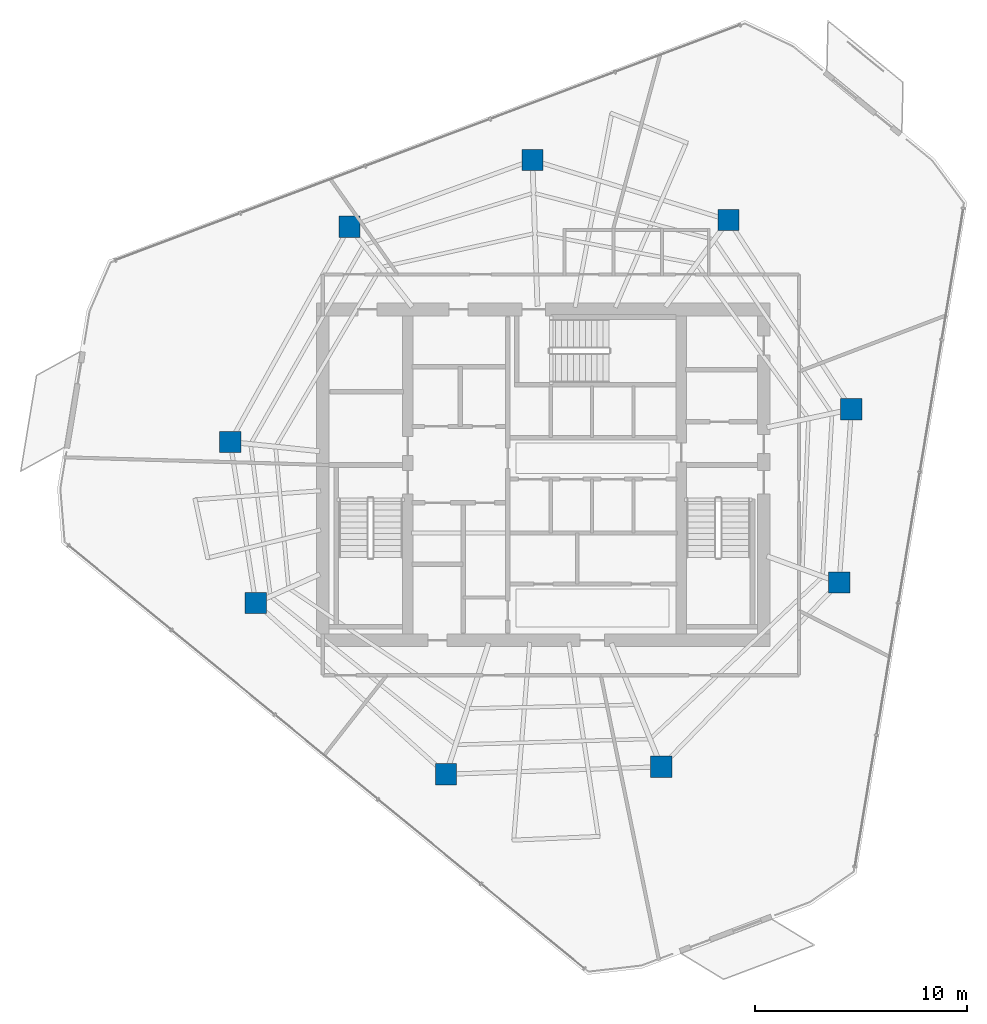
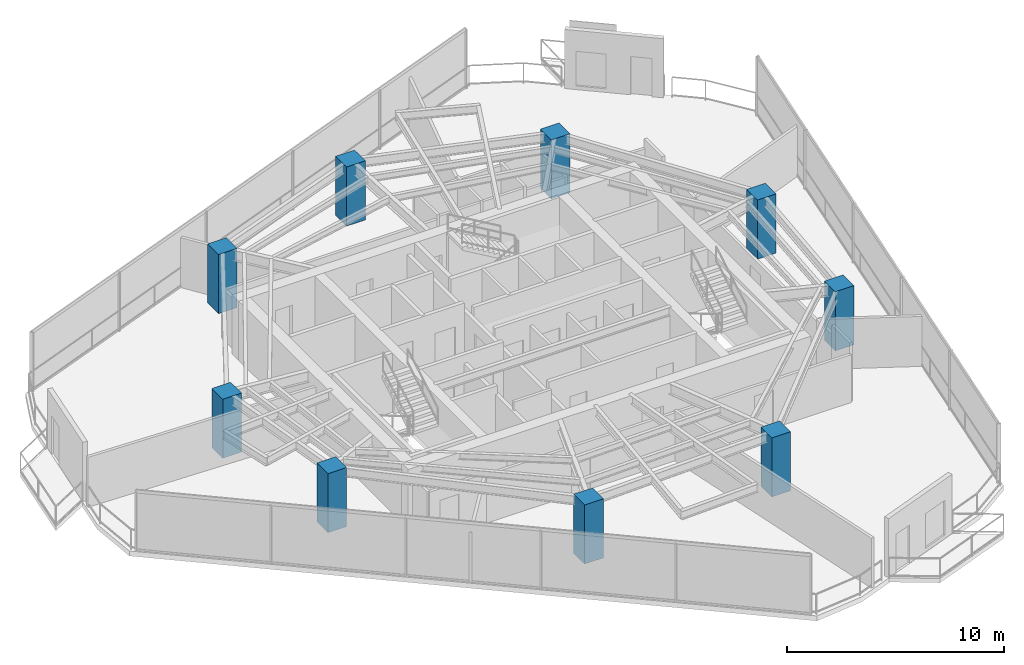
# One storey, part 1 of 19: 9 columns.
"""IFC4 building model written with IfcOpenShell, lengths in metres."""

from ifc_helpers import new_model, si_unit, direction, frame, origin, origin_2d, place, context, subcontext, project, spatial, rectangle, extrude, material, material_profile, profile_set, type_object, element, save


model = new_model("IFC4")

# Units and contexts
model_context = context("Model", 3, precision=1e-05, world=origin(), true_north=direction((0.0, 1.0)))
body_context = subcontext(model_context, "Body", "Model", "MODEL_VIEW")
ifc_project = project(units=[si_unit("LENGTHUNIT", "METRE"), si_unit("AREAUNIT", "SQUARE_METRE"), si_unit("VOLUMEUNIT", "CUBIC_METRE"), si_unit("PLANEANGLEUNIT", "RADIAN"), si_unit("MASSUNIT", "GRAM", prefix="KILO")], contexts=[model_context])

# Site, building, storey
site_placement = place(None, origin())
site = spatial("IfcSite", under=ifc_project, at=site_placement, CompositionType="ELEMENT")
building_placement = place(site_placement, origin())
building = spatial("IfcBuilding", under=site, at=building_placement, Name="Qarnah Convention Tower", CompositionType="ELEMENT")
storey_placement = place(building_placement, frame((0.0, 0.0, 143.699951171875)))
storey = spatial("IfcBuildingStorey", under=building, at=storey_placement, Name="L38", CompositionType="ELEMENT", Elevation=143.699951171875)

# Columns
ifc_material = material(Name="Concrete C60/75", Category="concrete")
ifc_material_profile = material_profile(ifc_material, rectangle(XDim=1.0, YDim=1.0, at=origin_2d()), Name="RC-COL-1000X1000")
ifc_profile_set = profile_set([ifc_material_profile], Name="Concrete C60/75")
column_type = type_object("IfcColumnType", Name="COL-Z3-1000", PredefinedType="COLUMN", material=ifc_profile_set)
for number, where, z_axis, x_axis, name in (
    (1, (51.72509765625, 29.487060546875, 0.0), (0.0, 0.0, 1.0), (1.0, 0.0, 0.0), "L38 plumb column PC-Z3-01"),
    (2, (45.928955078125, 38.4140625, 0.0), (0.0, 0.0, 1.0), (1.0, 0.0, 0.0), "L38 plumb column PC-Z3-02"),
    (3, (36.681884765625, 41.240966796875, 0.0), (0.0, 0.0, 1.0), (1.0, 0.0, 0.0), "L38 plumb column PC-Z3-03"),
    (4, (28.056884765625, 38.10205078125, 0.0), (0.0, 0.0, 1.0), (1.0, 0.0, 0.0), "L38 plumb column PC-Z3-04"),
    (5, (22.430908203125, 27.951904296875, 0.0), (0.0, 0.0, 1.0), (1.0, 0.0, 0.0), "L38 plumb column PC-Z3-05"),
    (6, (23.634033203125, 20.360107421875, 0.0), (0.0, 0.0, 1.0), (1.0, 0.0, 0.0), "L38 plumb column PC-Z3-06"),
    (7, (32.611083984375, 12.277099609375, 0.0), (0.0, 0.0, 1.0), (1.0, 0.0, 0.0), "L38 plumb column PC-Z3-07"),
    (8, (42.762939453125, 12.631103515625, 0.0), (0.0, 0.0, 1.0), (1.0, 0.0, 0.0), "L38 plumb column PC-Z3-08"),
    (9, (51.154052734375, 21.321044921875, 0.0), (0.0, 0.0, 1.0), (1.0, 0.0, 0.0), "L38 plumb column PC-Z3-09"),
):
    element("IfcColumn", number, at=place(storey_placement, frame(where, z_axis=z_axis, x_axis=x_axis)), inside=storey, type_object=column_type, Name=name, PredefinedType="COLUMN", context=body_context, shape_type="SweptSolid", body=[
        extrude(rectangle(XDim=1.0, YDim=1.0, at=origin_2d()), origin(), (0.0, 0.0, 1.0), 3.320068359375),
    ])

save(model, "model.ifc")
